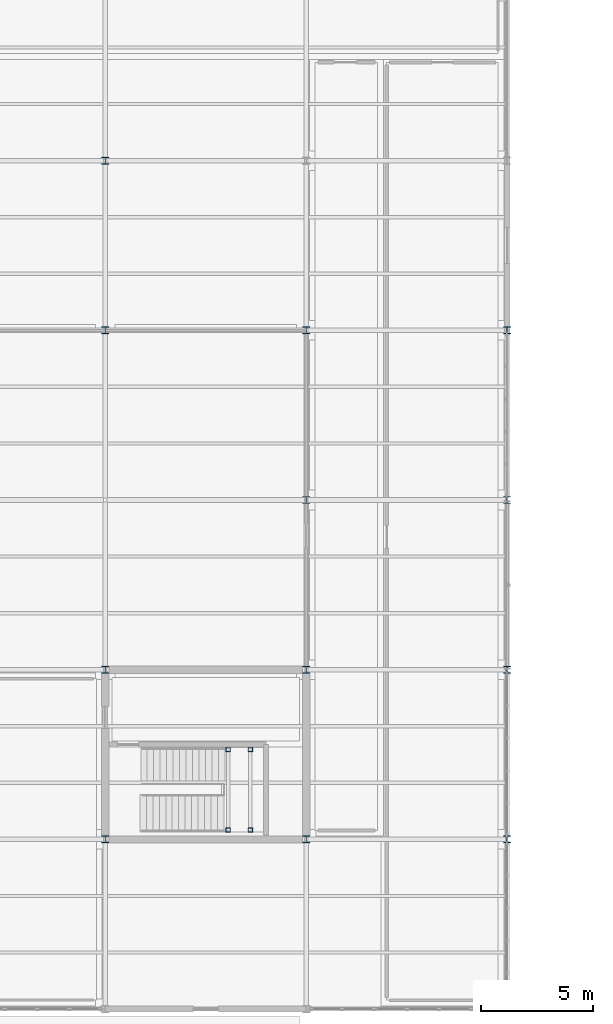
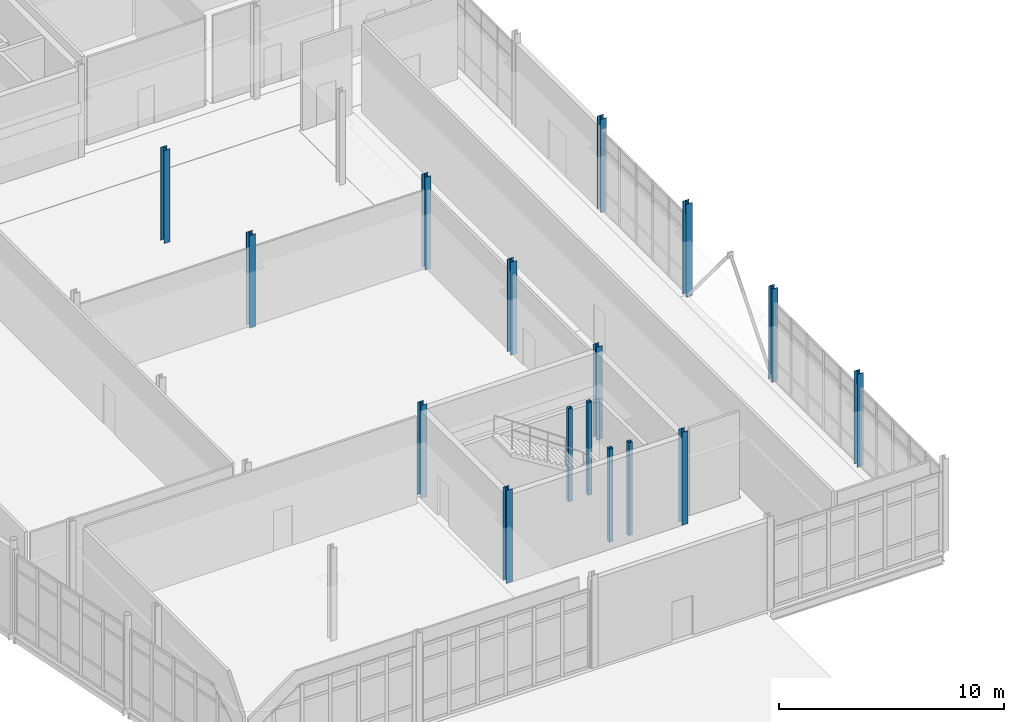
# One storey, part 29 of 161: 16 columns.
"""IFC4 building model written with IfcOpenShell, lengths in metres."""

from ifc_helpers import new_model, si_unit, direction, frame, origin, origin_2d, place, context, subcontext, project, spatial, hollow_rectangle, i_section, extrude, material, material_profile, profile_set, type_object, element, save


model = new_model("IFC4")

# Units and contexts
model_context = context("Model", 3, precision=1e-05, world=origin(), true_north=direction((0.0, 1.0)))
body_context = subcontext(model_context, "Body", "Model", "MODEL_VIEW")
ifc_project = project(units=[si_unit("LENGTHUNIT", "METRE"), si_unit("AREAUNIT", "SQUARE_METRE"), si_unit("VOLUMEUNIT", "CUBIC_METRE"), si_unit("PLANEANGLEUNIT", "RADIAN"), si_unit("MASSUNIT", "GRAM", prefix="KILO")], contexts=[model_context])

# Site, building, storey
site_placement = place(None, origin())
site = spatial("IfcSite", under=ifc_project, at=site_placement, CompositionType="ELEMENT")
building_placement = place(site_placement, origin())
building = spatial("IfcBuilding", under=site, at=building_placement, Name="Caisbarro Railhouse Central Library", CompositionType="ELEMENT")
storey_placement = place(building_placement, origin())
storey = spatial("IfcBuildingStorey", under=building, at=storey_placement, Name="L00", CompositionType="ELEMENT", Elevation=0.0)

# Columns
ifc_material = material(Name="Steel ASTM A572 Grade 50", Category="steel")
ifc_material_profile_1 = material_profile(ifc_material, i_section(OverallWidth=0.31201171875, OverallDepth=0.31201171875, WebThickness=0.017333984375, FlangeThickness=0.017333984375, FilletRadius=0.014892578125, at=origin_2d()), Name="HP310X125.0")
ifc_profile_set_1 = profile_set([ifc_material_profile_1], Name="Steel ASTM A572 Grade 50")
column_type_1 = type_object("IfcColumnType", Name="COL-C03", PredefinedType="COLUMN", material=ifc_profile_set_1)
for number, where, z_axis, x_axis, name in (
    (1, (135.0, 68.39990234375, 0.0), (0.0, 0.0, 1.0), (1.0, 0.0, 0.0), "C03 column L00 (135.0,68.4)"),
    (2, (135.0, 76.0, 0.0), (0.0, 0.0, 1.0), (1.0, 0.0, 0.0), "C03 column L00 (135.0,76.0)"),
    (3, (135.0, 91.199951171875, 0.0), (0.0, 0.0, 1.0), (1.0, 0.0, 0.0), "C03 column L00 (135.0,91.2)"),
    (4, (135.0, 98.800048828125, 0.0), (0.0, 0.0, 1.0), (1.0, 0.0, 0.0), "C03 column L00 (135.0,98.8)"),
    (5, (144.0, 68.39990234375, 0.0), (0.0, 0.0, 1.0), (1.0, 0.0, 0.0), "C03 column L00 (144.0,68.4)"),
    (6, (144.0, 76.0, 0.0), (0.0, 0.0, 1.0), (1.0, 0.0, 0.0), "C03 column L00 (144.0,76.0)"),
    (7, (144.0, 83.60009765625, 0.0), (0.0, 0.0, 1.0), (1.0, 0.0, 0.0), "C03 column L00 (144.0,83.6)"),
    (8, (144.0, 91.199951171875, 0.0), (0.0, 0.0, 1.0), (1.0, 0.0, 0.0), "C03 column L00 (144.0,91.2)"),
    (9, (153.0, 68.39990234375, 0.0), (0.0, 0.0, 1.0), (1.0, 0.0, 0.0), "C03 column L00 (153.0,68.4)"),
    (10, (153.0, 76.0, 0.0), (0.0, 0.0, 1.0), (1.0, 0.0, 0.0), "C03 column L00 (153.0,76.0)"),
    (11, (153.0, 83.60009765625, 0.0), (0.0, 0.0, 1.0), (1.0, 0.0, 0.0), "C03 column L00 (153.0,83.6)"),
    (12, (153.0, 91.199951171875, 0.0), (0.0, 0.0, 1.0), (1.0, 0.0, 0.0), "C03 column L00 (153.0,91.2)"),
):
    element("IfcColumn", number, at=place(storey_placement, frame(where, z_axis=z_axis, x_axis=x_axis)), inside=storey, type_object=column_type_1, Name=name, PredefinedType="COLUMN", context=body_context, shape_type="SweptSolid", body=[
        extrude(i_section(OverallWidth=0.31201171875, OverallDepth=0.31201171875, WebThickness=0.017333984375, FlangeThickness=0.017333984375, FilletRadius=0.014892578125, at=origin_2d()), origin(), (0.0, 0.0, 1.0), 5.0400390625),
    ])
ifc_material_profile_2 = material_profile(ifc_material, hollow_rectangle(XDim=0.199951171875, YDim=0.199951171875, WallThickness=0.012451171875, at=origin_2d()), Name="HSS200X200X12.5")
ifc_profile_set_2 = profile_set([ifc_material_profile_2], Name="Steel ASTM A572 Grade 50")
column_type_2 = type_object("IfcColumnType", Name="COL-C10", PredefinedType="COLUMN", material=ifc_profile_set_2)
for number, where, z_axis, x_axis, name in (
    (13, (140.5, 68.820068359375, 0.0), (0.0, 0.0, 1.0), (1.0, 0.0, 0.0), "C10 Stair Landing Post K7 L00.1"),
    (14, (140.5, 72.429931640625, 0.0), (0.0, 0.0, 1.0), (1.0, 0.0, 0.0), "C10 Stair Landing Post K7 L00.2"),
    (15, (141.5, 68.820068359375, 0.0), (0.0, 0.0, 1.0), (1.0, 0.0, 0.0), "C10 Stair Landing Post K7 L00.3"),
    (16, (141.5, 72.429931640625, 0.0), (0.0, 0.0, 1.0), (1.0, 0.0, 0.0), "C10 Stair Landing Post K7 L00.4"),
):
    element("IfcColumn", number, at=place(storey_placement, frame(where, z_axis=z_axis, x_axis=x_axis)), inside=storey, type_object=column_type_2, Name=name, PredefinedType="COLUMN", context=body_context, shape_type="SweptSolid", body=[
        extrude(hollow_rectangle(XDim=0.199951171875, YDim=0.199951171875, WallThickness=0.012451171875, at=origin_2d()), origin(), (0.0, 0.0, 1.0), 5.0400390625),
    ])

save(model, "model.ifc")
